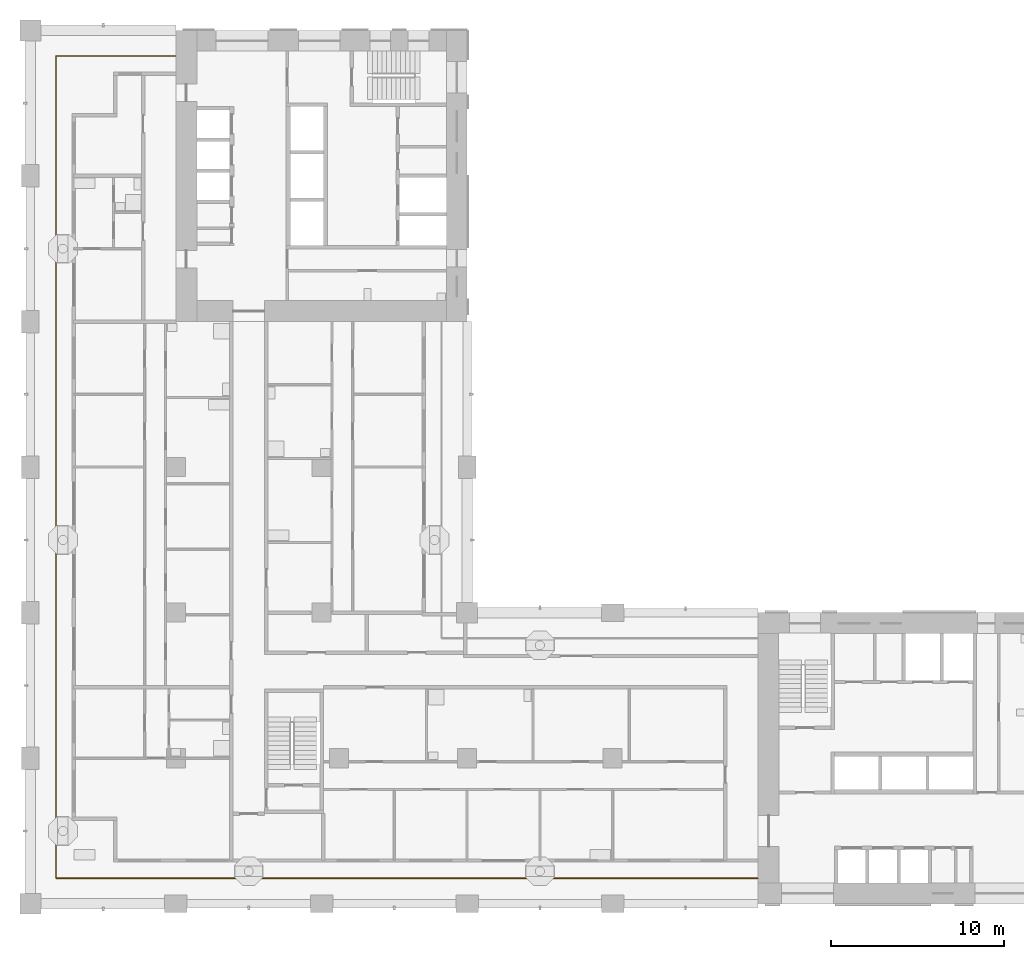
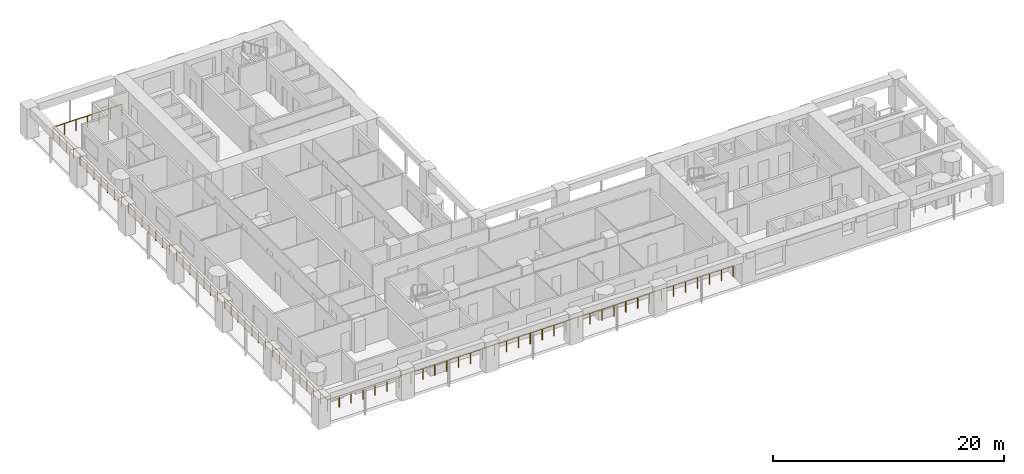
# One storey, part 10 of 18: 1 railing.
"""IFC4 building model written with IfcOpenShell, lengths in metres."""

from ifc_helpers import new_model, si_unit, direction, frame, origin, origin_2d, place, context, subcontext, project, spatial, circle, extrude, material, type_object, element, save


model = new_model("IFC4")

# Units and contexts
model_context = context("Model", 3, precision=1e-05, world=origin(), true_north=direction((0.0, 1.0)))
body_context = subcontext(model_context, "Body", "Model", "MODEL_VIEW")
ifc_project = project(units=[si_unit("LENGTHUNIT", "METRE"), si_unit("AREAUNIT", "SQUARE_METRE"), si_unit("VOLUMEUNIT", "CUBIC_METRE"), si_unit("PLANEANGLEUNIT", "RADIAN"), si_unit("MASSUNIT", "GRAM", prefix="KILO")], contexts=[model_context])

# Site, building, storey
site_placement = place(None, origin())
site = spatial("IfcSite", under=ifc_project, at=site_placement, CompositionType="ELEMENT")
building_placement = place(site_placement, origin())
building = spatial("IfcBuilding", under=site, at=building_placement, Name="Vermilion Gate Residences", CompositionType="ELEMENT")
storey_placement = place(building_placement, frame((0.0, 0.0, 102.199951171875)))
storey = spatial("IfcBuildingStorey", under=building, at=storey_placement, Name="L25", CompositionType="ELEMENT", Elevation=102.199951171875)

# Railing
ifc_material = material(Name="Stainless steel and toughened glass", Category="steel")
railing_type = type_object("IfcRailingType", Name="LOGGIA GUARD STEEL AND GLASS 1200", PredefinedType="GUARDRAIL", material=ifc_material)
railing_placement = place(storey_placement, frame((8.3779296875, 57.324951171875, 0.0)))
element("IfcRailing", 1, at=railing_placement, inside=storey, type_object=railing_type, Name="Loggia guard", PredefinedType="GUARDRAIL", context=body_context, shape_type="SweptSolid", body=[
    extrude(circle(Radius=0.030029296875, at=origin_2d()), frame((0.0, 0.0, 1.169921875), z_axis=(-1.0, 0.0, 0.0), x_axis=(0.0, -1.0, 0.0)), (0.0, 0.0, 1.0), 6.90283203125),
    extrude(circle(Radius=0.030029296875, at=origin_2d()), frame((-6.90283203125, 0.0, 1.169921875), z_axis=(0.0, -1.0, 0.0), x_axis=(1.0, 0.0, 0.0)), (0.0, 0.0, 1.0), 47.449951171875),
    extrude(circle(Radius=0.030029296875, at=origin_2d()), frame((-6.90283203125, -47.449951171875, 1.169921875), z_axis=(1.0, 0.0, 0.0), x_axis=(0.0, 1.0, 0.0)), (0.0, 0.0, 1.0), 40.5029296875),
    extrude(circle(Radius=0.02490234375, at=origin_2d()), origin(), (0.0, 0.0, 1.0), 1.139892578125),
    extrude(circle(Radius=0.02490234375, at=origin_2d()), frame((-1.150390625, 0.0, 0.0)), (0.0, 0.0, 1.0), 1.139892578125),
    extrude(circle(Radius=0.02490234375, at=origin_2d()), frame((-2.301025390625, 0.0, 0.0)), (0.0, 0.0, 1.0), 1.139892578125),
    extrude(circle(Radius=0.02490234375, at=origin_2d()), frame((-3.451416015625, 0.0, 0.0)), (0.0, 0.0, 1.0), 1.139892578125),
    extrude(circle(Radius=0.02490234375, at=origin_2d()), frame((-4.601806640625, 0.0, 0.0)), (0.0, 0.0, 1.0), 1.139892578125),
    extrude(circle(Radius=0.02490234375, at=origin_2d()), frame((-5.75244140625, 0.0, 0.0)), (0.0, 0.0, 1.0), 1.139892578125),
    extrude(circle(Radius=0.02490234375, at=origin_2d()), frame((-6.90283203125, 0.0, 0.0)), (0.0, 0.0, 1.0), 1.139892578125),
    extrude(circle(Radius=0.02490234375, at=origin_2d()), frame((-6.90283203125, -1.186279296875, 0.0)), (0.0, 0.0, 1.0), 1.139892578125),
    extrude(circle(Radius=0.02490234375, at=origin_2d()), frame((-6.90283203125, -2.37255859375, 0.0)), (0.0, 0.0, 1.0), 1.139892578125),
    extrude(circle(Radius=0.02490234375, at=origin_2d()), frame((-6.90283203125, -3.558837890625, 0.0)), (0.0, 0.0, 1.0), 1.139892578125),
    extrude(circle(Radius=0.02490234375, at=origin_2d()), frame((-6.90283203125, -4.7451171875, 0.0)), (0.0, 0.0, 1.0), 1.139892578125),
    extrude(circle(Radius=0.02490234375, at=origin_2d()), frame((-6.90283203125, -5.93115234375, 0.0)), (0.0, 0.0, 1.0), 1.139892578125),
    extrude(circle(Radius=0.02490234375, at=origin_2d()), frame((-6.90283203125, -7.117431640625, 0.0)), (0.0, 0.0, 1.0), 1.139892578125),
    extrude(circle(Radius=0.02490234375, at=origin_2d()), frame((-6.90283203125, -8.3037109375, 0.0)), (0.0, 0.0, 1.0), 1.139892578125),
    extrude(circle(Radius=0.02490234375, at=origin_2d()), frame((-6.90283203125, -9.489990234375, 0.0)), (0.0, 0.0, 1.0), 1.139892578125),
    extrude(circle(Radius=0.02490234375, at=origin_2d()), frame((-6.90283203125, -10.67626953125, 0.0)), (0.0, 0.0, 1.0), 1.139892578125),
    extrude(circle(Radius=0.02490234375, at=origin_2d()), frame((-6.90283203125, -11.862548828125, 0.0)), (0.0, 0.0, 1.0), 1.139892578125),
    extrude(circle(Radius=0.02490234375, at=origin_2d()), frame((-6.90283203125, -13.048828125, 0.0)), (0.0, 0.0, 1.0), 1.139892578125),
    extrude(circle(Radius=0.02490234375, at=origin_2d()), frame((-6.90283203125, -14.23486328125, 0.0)), (0.0, 0.0, 1.0), 1.139892578125),
    extrude(circle(Radius=0.02490234375, at=origin_2d()), frame((-6.90283203125, -15.421142578125, 0.0)), (0.0, 0.0, 1.0), 1.139892578125),
    extrude(circle(Radius=0.02490234375, at=origin_2d()), frame((-6.90283203125, -16.607421875, 0.0)), (0.0, 0.0, 1.0), 1.139892578125),
    extrude(circle(Radius=0.02490234375, at=origin_2d()), frame((-6.90283203125, -17.793701171875, 0.0)), (0.0, 0.0, 1.0), 1.139892578125),
    extrude(circle(Radius=0.02490234375, at=origin_2d()), frame((-6.90283203125, -18.97998046875, 0.0)), (0.0, 0.0, 1.0), 1.139892578125),
    extrude(circle(Radius=0.02490234375, at=origin_2d()), frame((-6.90283203125, -20.166259765625, 0.0)), (0.0, 0.0, 1.0), 1.139892578125),
    extrude(circle(Radius=0.02490234375, at=origin_2d()), frame((-6.90283203125, -21.3525390625, 0.0)), (0.0, 0.0, 1.0), 1.139892578125),
    extrude(circle(Radius=0.02490234375, at=origin_2d()), frame((-6.90283203125, -22.538818359375, 0.0)), (0.0, 0.0, 1.0), 1.139892578125),
    extrude(circle(Radius=0.02490234375, at=origin_2d()), frame((-6.90283203125, -23.72509765625, 0.0)), (0.0, 0.0, 1.0), 1.139892578125),
    extrude(circle(Radius=0.02490234375, at=origin_2d()), frame((-6.90283203125, -24.9111328125, 0.0)), (0.0, 0.0, 1.0), 1.139892578125),
    extrude(circle(Radius=0.02490234375, at=origin_2d()), frame((-6.90283203125, -26.097412109375, 0.0)), (0.0, 0.0, 1.0), 1.139892578125),
    extrude(circle(Radius=0.02490234375, at=origin_2d()), frame((-6.90283203125, -27.28369140625, 0.0)), (0.0, 0.0, 1.0), 1.139892578125),
    extrude(circle(Radius=0.02490234375, at=origin_2d()), frame((-6.90283203125, -28.469970703125, 0.0)), (0.0, 0.0, 1.0), 1.139892578125),
    extrude(circle(Radius=0.02490234375, at=origin_2d()), frame((-6.90283203125, -29.65625, 0.0)), (0.0, 0.0, 1.0), 1.139892578125),
    extrude(circle(Radius=0.02490234375, at=origin_2d()), frame((-6.90283203125, -30.842529296875, 0.0)), (0.0, 0.0, 1.0), 1.139892578125),
    extrude(circle(Radius=0.02490234375, at=origin_2d()), frame((-6.90283203125, -32.02880859375, 0.0)), (0.0, 0.0, 1.0), 1.139892578125),
    extrude(circle(Radius=0.02490234375, at=origin_2d()), frame((-6.90283203125, -33.21484375, 0.0)), (0.0, 0.0, 1.0), 1.139892578125),
    extrude(circle(Radius=0.02490234375, at=origin_2d()), frame((-6.90283203125, -34.401123046875, 0.0)), (0.0, 0.0, 1.0), 1.139892578125),
    extrude(circle(Radius=0.02490234375, at=origin_2d()), frame((-6.90283203125, -35.58740234375, 0.0)), (0.0, 0.0, 1.0), 1.139892578125),
    extrude(circle(Radius=0.02490234375, at=origin_2d()), frame((-6.90283203125, -36.773681640625, 0.0)), (0.0, 0.0, 1.0), 1.139892578125),
    extrude(circle(Radius=0.02490234375, at=origin_2d()), frame((-6.90283203125, -37.9599609375, 0.0)), (0.0, 0.0, 1.0), 1.139892578125),
    extrude(circle(Radius=0.02490234375, at=origin_2d()), frame((-6.90283203125, -39.146240234375, 0.0)), (0.0, 0.0, 1.0), 1.139892578125),
    extrude(circle(Radius=0.02490234375, at=origin_2d()), frame((-6.90283203125, -40.33251953125, 0.0)), (0.0, 0.0, 1.0), 1.139892578125),
    extrude(circle(Radius=0.02490234375, at=origin_2d()), frame((-6.90283203125, -41.518798828125, 0.0)), (0.0, 0.0, 1.0), 1.139892578125),
    extrude(circle(Radius=0.02490234375, at=origin_2d()), frame((-6.90283203125, -42.705078125, 0.0)), (0.0, 0.0, 1.0), 1.139892578125),
    extrude(circle(Radius=0.02490234375, at=origin_2d()), frame((-6.90283203125, -43.89111328125, 0.0)), (0.0, 0.0, 1.0), 1.139892578125),
    extrude(circle(Radius=0.02490234375, at=origin_2d()), frame((-6.90283203125, -45.077392578125, 0.0)), (0.0, 0.0, 1.0), 1.139892578125),
    extrude(circle(Radius=0.02490234375, at=origin_2d()), frame((-6.90283203125, -46.263671875, 0.0)), (0.0, 0.0, 1.0), 1.139892578125),
    extrude(circle(Radius=0.02490234375, at=origin_2d()), frame((-6.90283203125, -47.449951171875, 0.0)), (0.0, 0.0, 1.0), 1.139892578125),
    extrude(circle(Radius=0.02490234375, at=origin_2d()), frame((-5.711669921875, -47.449951171875, 0.0)), (0.0, 0.0, 1.0), 1.139892578125),
    extrude(circle(Radius=0.02490234375, at=origin_2d()), frame((-4.520263671875, -47.449951171875, 0.0)), (0.0, 0.0, 1.0), 1.139892578125),
    extrude(circle(Radius=0.02490234375, at=origin_2d()), frame((-3.3291015625, -47.449951171875, 0.0)), (0.0, 0.0, 1.0), 1.139892578125),
    extrude(circle(Radius=0.02490234375, at=origin_2d()), frame((-2.1376953125, -47.449951171875, 0.0)), (0.0, 0.0, 1.0), 1.139892578125),
    extrude(circle(Radius=0.02490234375, at=origin_2d()), frame((-0.946533203125, -47.449951171875, 0.0)), (0.0, 0.0, 1.0), 1.139892578125),
    extrude(circle(Radius=0.02490234375, at=origin_2d()), frame((0.24462890625, -47.449951171875, 0.0)), (0.0, 0.0, 1.0), 1.139892578125),
    extrude(circle(Radius=0.02490234375, at=origin_2d()), frame((1.43603515625, -47.449951171875, 0.0)), (0.0, 0.0, 1.0), 1.139892578125),
    extrude(circle(Radius=0.02490234375, at=origin_2d()), frame((2.627197265625, -47.449951171875, 0.0)), (0.0, 0.0, 1.0), 1.139892578125),
    extrude(circle(Radius=0.02490234375, at=origin_2d()), frame((3.818603515625, -47.449951171875, 0.0)), (0.0, 0.0, 1.0), 1.139892578125),
    extrude(circle(Radius=0.02490234375, at=origin_2d()), frame((5.009765625, -47.449951171875, 0.0)), (0.0, 0.0, 1.0), 1.139892578125),
    extrude(circle(Radius=0.02490234375, at=origin_2d()), frame((6.201171875, -47.449951171875, 0.0)), (0.0, 0.0, 1.0), 1.139892578125),
    extrude(circle(Radius=0.02490234375, at=origin_2d()), frame((7.392333984375, -47.449951171875, 0.0)), (0.0, 0.0, 1.0), 1.139892578125),
    extrude(circle(Radius=0.02490234375, at=origin_2d()), frame((8.58349609375, -47.449951171875, 0.0)), (0.0, 0.0, 1.0), 1.139892578125),
    extrude(circle(Radius=0.02490234375, at=origin_2d()), frame((9.77490234375, -47.449951171875, 0.0)), (0.0, 0.0, 1.0), 1.139892578125),
    extrude(circle(Radius=0.02490234375, at=origin_2d()), frame((10.966064453125, -47.449951171875, 0.0)), (0.0, 0.0, 1.0), 1.139892578125),
    extrude(circle(Radius=0.02490234375, at=origin_2d()), frame((12.157470703125, -47.449951171875, 0.0)), (0.0, 0.0, 1.0), 1.139892578125),
    extrude(circle(Radius=0.02490234375, at=origin_2d()), frame((13.3486328125, -47.449951171875, 0.0)), (0.0, 0.0, 1.0), 1.139892578125),
    extrude(circle(Radius=0.02490234375, at=origin_2d()), frame((14.539794921875, -47.449951171875, 0.0)), (0.0, 0.0, 1.0), 1.139892578125),
    extrude(circle(Radius=0.02490234375, at=origin_2d()), frame((15.731201171875, -47.449951171875, 0.0)), (0.0, 0.0, 1.0), 1.139892578125),
    extrude(circle(Radius=0.02490234375, at=origin_2d()), frame((16.92236328125, -47.449951171875, 0.0)), (0.0, 0.0, 1.0), 1.139892578125),
    extrude(circle(Radius=0.02490234375, at=origin_2d()), frame((18.11376953125, -47.449951171875, 0.0)), (0.0, 0.0, 1.0), 1.139892578125),
    extrude(circle(Radius=0.02490234375, at=origin_2d()), frame((19.304931640625, -47.449951171875, 0.0)), (0.0, 0.0, 1.0), 1.139892578125),
    extrude(circle(Radius=0.02490234375, at=origin_2d()), frame((20.49609375, -47.449951171875, 0.0)), (0.0, 0.0, 1.0), 1.139892578125),
    extrude(circle(Radius=0.02490234375, at=origin_2d()), frame((21.6875, -47.449951171875, 0.0)), (0.0, 0.0, 1.0), 1.139892578125),
    extrude(circle(Radius=0.02490234375, at=origin_2d()), frame((22.878662109375, -47.449951171875, 0.0)), (0.0, 0.0, 1.0), 1.139892578125),
    extrude(circle(Radius=0.02490234375, at=origin_2d()), frame((24.070068359375, -47.449951171875, 0.0)), (0.0, 0.0, 1.0), 1.139892578125),
    extrude(circle(Radius=0.02490234375, at=origin_2d()), frame((25.26123046875, -47.449951171875, 0.0)), (0.0, 0.0, 1.0), 1.139892578125),
    extrude(circle(Radius=0.02490234375, at=origin_2d()), frame((26.45263671875, -47.449951171875, 0.0)), (0.0, 0.0, 1.0), 1.139892578125),
    extrude(circle(Radius=0.02490234375, at=origin_2d()), frame((27.643798828125, -47.449951171875, 0.0)), (0.0, 0.0, 1.0), 1.139892578125),
    extrude(circle(Radius=0.02490234375, at=origin_2d()), frame((28.8349609375, -47.449951171875, 0.0)), (0.0, 0.0, 1.0), 1.139892578125),
    extrude(circle(Radius=0.02490234375, at=origin_2d()), frame((30.0263671875, -47.449951171875, 0.0)), (0.0, 0.0, 1.0), 1.139892578125),
    extrude(circle(Radius=0.02490234375, at=origin_2d()), frame((31.217529296875, -47.449951171875, 0.0)), (0.0, 0.0, 1.0), 1.139892578125),
    extrude(circle(Radius=0.02490234375, at=origin_2d()), frame((32.408935546875, -47.449951171875, 0.0)), (0.0, 0.0, 1.0), 1.139892578125),
    extrude(circle(Radius=0.02490234375, at=origin_2d()), frame((33.60009765625, -47.449951171875, 0.0)), (0.0, 0.0, 1.0), 1.139892578125),
])

save(model, "model.ifc")
